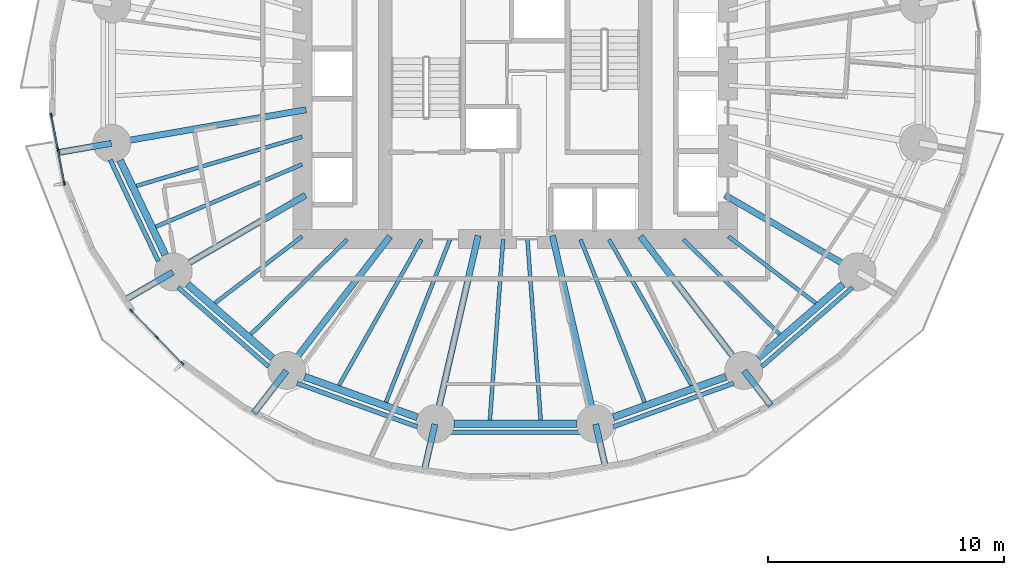
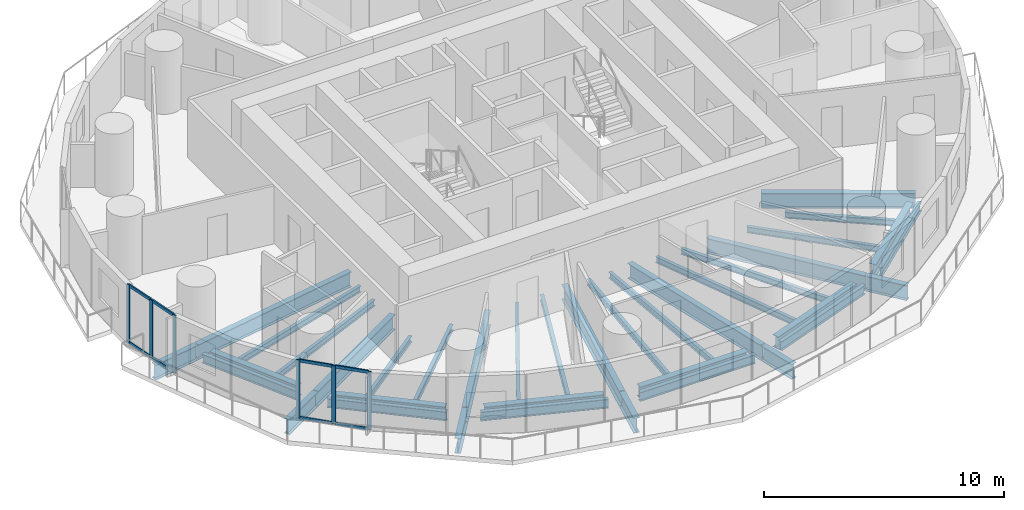
# One storey, part 2 of 14: 37 beams, 14 members, 2 elements without a shape of their own.
"""IFC4 building model written with IfcOpenShell, lengths in metres."""

import ifcopenshell
import ifcopenshell.guid

model = None  # the IFC model being written
_history = None  # IfcOwnerHistory: only IFC2X3 demands one
_inside = {}  # id of a spatial element -> (the spatial element, [elements in it])
_under = {}  # id of a project, library or spatial element -> (it, [spatial elements below it])
_declared = {}  # id of a project -> (the project, [libraries it declares])
_typed = {}  # id of a type object -> (the type object, [elements of that type])
_made_of = {}  # id of a material, layer set ... -> (it, [elements and type objects made of it])


def new_model(schema):
    """Start an empty IFC model of exactly this schema.

    Asked for "IFC4X3", IfcOpenShell would pick the latest addendum, in which some entities
    have other attributes; the version numbers below select the first issue.
    IFC2X3 requires an IfcOwnerHistory on every rooted entity: one is made here for all.
    """
    global model, _history
    if schema == "IFC4X3":
        model = ifcopenshell.file(schema_version=(4, 3, 0, 0))
    else:
        model = ifcopenshell.file(schema=schema)
    _inside.clear()
    _under.clear()
    _declared.clear()
    _typed.clear()
    _made_of.clear()
    _history = None
    if model.schema == "IFC2X3":
        org = make("IfcOrganization", Name="unknown")
        user = make(
            "IfcPersonAndOrganization",
            ThePerson=make("IfcPerson", FamilyName="unknown"),
            TheOrganization=org,
        )
        app = make(
            "IfcApplication",
            ApplicationDeveloper=org,
            Version="unknown",
            ApplicationFullName="unknown",
            ApplicationIdentifier="unknown",
        )
        _history = make(
            "IfcOwnerHistory",
            OwningUser=user,
            OwningApplication=app,
            ChangeAction="ADDED",
            CreationDate=0,
        )
    return model


def make(cls, **values):
    """One entity of the class cls with the attributes given. An attribute that is None is left unset."""
    return model.create_entity(
        cls, **{name: value for name, value in values.items() if value is not None}
    )


def rooted(cls, **values):
    """An entity with a GlobalId (a new one), such as an element, a storey or a relation."""
    return make(cls, GlobalId=ifcopenshell.guid.new(), OwnerHistory=_history, **values)


def si_unit(unit_type, name, prefix=None):
    """IfcSIUnit, for example si_unit("LENGTHUNIT", "METRE", prefix="MILLI")."""
    return make("IfcSIUnit", UnitType=unit_type, Prefix=prefix, Name=name)


def assignment(units):
    """IfcUnitAssignment: the units of a project."""
    return None if units is None else make("IfcUnitAssignment", Units=units)


def point(xyz):
    """IfcCartesianPoint."""
    return None if xyz is None else make("IfcCartesianPoint", Coordinates=xyz)


def direction(xyz):
    """IfcDirection."""
    return None if xyz is None else make("IfcDirection", DirectionRatios=xyz)


def frame(location, z_axis=None, x_axis=None):
    """IfcAxis2Placement3D, a coordinate frame: its origin and axes. An axis left out is left unset."""
    return make(
        "IfcAxis2Placement3D",
        Location=point(location),
        Axis=direction(z_axis),
        RefDirection=direction(x_axis),
    )


def frame_2d(location, x_axis=None):
    """IfcAxis2Placement2D, a coordinate frame in the plane: its origin and x axis."""
    return make(
        "IfcAxis2Placement2D", Location=point(location), RefDirection=direction(x_axis)
    )


def origin():
    """The frame at (0, 0, 0) with its axes left unset."""
    return frame((0.0, 0.0, 0.0))


def origin_2d():
    """The frame at (0, 0) in the plane with its x axis left unset."""
    return frame_2d((0.0, 0.0))


def place(relative_to, where):
    """IfcLocalPlacement: puts the frame where relative to a parent placement (None: the world)."""
    return make(
        "IfcLocalPlacement", PlacementRelTo=relative_to, RelativePlacement=where
    )


def context(
    kind, dimensions, precision=None, world=None, true_north=None, identifier=None
):
    """IfcGeometricRepresentationContext, for example the 3D "Model" context."""
    return make(
        "IfcGeometricRepresentationContext",
        ContextIdentifier=identifier,
        ContextType=kind,
        CoordinateSpaceDimension=dimensions,
        Precision=precision,
        WorldCoordinateSystem=world,
        TrueNorth=true_north,
    )


def subcontext(parent, identifier, kind, view, scale=None):
    """IfcGeometricRepresentationSubContext, for example "Body" below "Model"."""
    return make(
        "IfcGeometricRepresentationSubContext",
        ContextIdentifier=identifier,
        ContextType=kind,
        ParentContext=parent,
        TargetScale=scale,
        TargetView=view,
    )


def project(units=None, contexts=None):
    """IfcProject with its units and contexts."""
    return rooted(
        "IfcProject",
        Name="project",
        RepresentationContexts=contexts,
        UnitsInContext=assignment(units),
    )


def spatial(cls, under=None, at=None, **own):
    """A site, building, storey or space (cls), placed at a placement, below another one or the project."""
    s = rooted(cls, ObjectPlacement=at, **own)
    if under is not None:
        _under.setdefault(under.id(), (under, []))[1].append(s)
    return s


def profile(cls, at=None, kind="AREA", **sizes):
    """A parametric profile (cls). Its sizes go by their IFC names, for example OverallWidth=200.0."""
    return make(cls, ProfileType=kind, Position=at, **sizes)


def rectangle(**sizes):
    """IfcRectangleProfileDef."""
    return profile("IfcRectangleProfileDef", **sizes)


def i_section(**sizes):
    """IfcIShapeProfileDef."""
    return profile("IfcIShapeProfileDef", **sizes)


def extrude(swept, where, along, depth):
    """IfcExtrudedAreaSolid: the profile swept, set in the frame where, extruded along a direction by depth."""
    return make(
        "IfcExtrudedAreaSolid",
        SweptArea=swept,
        Position=where,
        ExtrudedDirection=direction(along),
        Depth=depth,
    )


def shape(context_of_items, identifier, shape_type, items):
    """IfcShapeRepresentation: the items that make up one representation, for example the "Body"."""
    return make(
        "IfcShapeRepresentation",
        ContextOfItems=context_of_items,
        RepresentationIdentifier=identifier,
        RepresentationType=shape_type,
        Items=items,
    )


def material(Name=None, Category=None):
    """IfcMaterial."""
    return make("IfcMaterial", Name=Name, Category=Category)


def material_profile(
    of_material, cross_section, Name=None, Category=None, Priority=None
):
    """IfcMaterialProfile: a cross section and its material."""
    return make(
        "IfcMaterialProfile",
        Name=Name,
        Material=of_material,
        Profile=cross_section,
        Priority=Priority,
        Category=Category,
    )


def profile_set(profiles, Name=None, composite=None):
    """IfcMaterialProfileSet."""
    return make(
        "IfcMaterialProfileSet",
        Name=Name,
        MaterialProfiles=profiles,
        CompositeProfile=composite,
    )


def made_of(thing, what):
    """Note that an element or type object is made of a material, layer set ...; save() writes the relation."""
    if what is not None:
        _made_of.setdefault(what.id(), (what, []))[1].append(thing)
    return thing


def type_object(cls, material=None, **own):
    """A type object (cls), such as IfcWallType, which elements share."""
    return made_of(rooted(cls, **own), material)


def element(
    cls,
    number,
    at=None,
    inside=None,
    cuts=None,
    type_object=None,
    material=None,
    context=None,
    identifier="Body",
    shape_type=None,
    held_by="IfcProductDefinitionShape",
    body=None,
    shapes=None,
    **own,
):
    """One element of the class cls, such as IfcWall. Its Tag is "e" and its number.

    at: its placement. inside: the storey or other place that contains it. cuts: it is an
    opening in that element (IfcRelVoidsElement). A single representation is given by context,
    identifier, shape_type and body (its items); several are given by shapes. held_by: the class
    of the entity that holds the representations. save() writes the other relations.
    """
    e = rooted(cls, Tag="e%d" % number, ObjectPlacement=at, **own)
    if body is not None:
        shapes = [shape(context, identifier, shape_type, body)]
    if shapes is not None:
        e.Representation = make(held_by, Representations=shapes)
    if inside is not None:
        _inside.setdefault(inside.id(), (inside, []))[1].append(e)
    if cuts is not None:
        rooted(
            "IfcRelVoidsElement", RelatingBuildingElement=cuts, RelatedOpeningElement=e
        )
    if type_object is not None:
        _typed.setdefault(type_object.id(), (type_object, []))[1].append(e)
    return made_of(e, material)


def aggregate(whole, parts):
    """IfcRelAggregates: a whole, such as a stair, and the parts it consists of."""
    return rooted("IfcRelAggregates", RelatingObject=whole, RelatedObjects=parts)


def save(model, path):
    """Write the relations noted so far, then the file.

    IfcRelAggregates (storeys below a building ...), IfcRelContainedInSpatialStructure (elements
    in a storey), IfcRelDefinesByType, IfcRelAssociatesMaterial and IfcRelDeclares: one each for
    every whole, place, type object, material and project.
    """
    for whole, parts in _under.values():
        aggregate(whole, parts)
    for where, things in _inside.values():
        rooted(
            "IfcRelContainedInSpatialStructure",
            RelatedElements=things,
            RelatingStructure=where,
        )
    for kind, things in _typed.values():
        rooted("IfcRelDefinesByType", RelatedObjects=things, RelatingType=kind)
    for what, things in _made_of.values():
        rooted("IfcRelAssociatesMaterial", RelatedObjects=things, RelatingMaterial=what)
    for by, libraries in _declared.values():
        rooted("IfcRelDeclares", RelatingContext=by, RelatedDefinitions=libraries)
    model.write(path)


model = new_model("IFC4")

# Units and contexts
model_context = context("Model", 3, precision=1e-05, world=origin(), true_north=direction((0.0, 1.0)))
body_context = subcontext(model_context, "Body", "Model", "MODEL_VIEW")
ifc_project = project(units=[si_unit("LENGTHUNIT", "METRE"), si_unit("AREAUNIT", "SQUARE_METRE"), si_unit("VOLUMEUNIT", "CUBIC_METRE"), si_unit("PLANEANGLEUNIT", "RADIAN"), si_unit("MASSUNIT", "GRAM", prefix="KILO")], contexts=[model_context])

# Site, building, storey
site_placement = place(None, origin())
site = spatial("IfcSite", under=ifc_project, at=site_placement, CompositionType="ELEMENT")
building_placement = place(site_placement, origin())
building = spatial("IfcBuilding", under=site, at=building_placement, Name="Veldorim Arch Residences", CompositionType="ELEMENT")
storey_placement = place(building_placement, frame((0.0, 0.0, 28.0)))
storey = spatial("IfcBuildingStorey", under=building, at=storey_placement, Name="L07", CompositionType="ELEMENT", Elevation=28.0)

# Beams
ifc_material_1 = material(Name="Steel S355", Category="steel")
ifc_material_profile_1 = material_profile(ifc_material_1, i_section(OverallWidth=0.30712890625, OverallDepth=0.6201171875, WebThickness=0.01416015625, FlangeThickness=0.023681640625, at=origin_2d()), Name="UB610x305x179")
ifc_profile_set_1 = profile_set([ifc_material_profile_1], Name="Steel S355")
beam_type_1 = type_object("IfcBeamType", Name="Structural Steel Beam UB610x305x179", PredefinedType="BEAM", material=ifc_profile_set_1)
beam_1_placement = place(storey_placement, frame((15.27880859375, 20.33203125, -0.550048828125), z_axis=(0.430786696724, -0.902453778276, 0.0), x_axis=(0.902453778276, 0.430786696724, 0.0)))
element("IfcBeam", 1, at=beam_1_placement, inside=storey, type_object=beam_type_1, Name="L07 perimeter ring tie beam 09", PredefinedType="BEAM", context=body_context, shape_type="SweptSolid", body=[
    extrude(i_section(OverallWidth=0.30712890625, OverallDepth=0.6201171875, WebThickness=0.01416015625, FlangeThickness=0.023681640625, at=origin_2d()), origin(), (0.0, 0.0, 1.0), 4.431396484375),
])
beam_2_placement = place(storey_placement, frame((18.13671875, 15.086669921875, -0.550048828125), z_axis=(0.755235029424, -0.655454079499, 0.0), x_axis=(0.655454079499, 0.755235029424, 0.0)))
element("IfcBeam", 2, at=beam_2_placement, inside=storey, type_object=beam_type_1, Name="L07 perimeter ring tie beam 10", PredefinedType="BEAM", context=body_context, shape_type="SweptSolid", body=[
    extrude(i_section(OverallWidth=0.30712890625, OverallDepth=0.6201171875, WebThickness=0.01416015625, FlangeThickness=0.023681640625, at=origin_2d()), origin(), (0.0, 0.0, 1.0), 4.756591796875),
])
beam_3_placement = place(storey_placement, frame((23.0859375, 11.17431640625, -0.550048828125), z_axis=(0.94103540046, -0.338308106732, 0.0), x_axis=(0.338308106732, 0.94103540046, 0.0)))
element("IfcBeam", 3, at=beam_3_placement, inside=storey, type_object=beam_type_1, Name="L07 perimeter ring tie beam 11", PredefinedType="BEAM", context=body_context, shape_type="SweptSolid", body=[
    extrude(i_section(OverallWidth=0.30712890625, OverallDepth=0.6201171875, WebThickness=0.01416015625, FlangeThickness=0.023681640625, at=origin_2d()), origin(), (0.0, 0.0, 1.0), 5.065185546875),
])
beam_4_placement = place(storey_placement, frame((29.405517578125, 9.190185546875, -0.550048828125), z_axis=(1.0, 0.0, 0.0), x_axis=(0.0, 1.0, 0.0)))
element("IfcBeam", 4, at=beam_4_placement, inside=storey, type_object=beam_type_1, Name="L07 perimeter ring tie beam 12", PredefinedType="BEAM", context=body_context, shape_type="SweptSolid", body=[
    extrude(i_section(OverallWidth=0.30712890625, OverallDepth=0.6201171875, WebThickness=0.01416015625, FlangeThickness=0.023681640625, at=origin_2d()), origin(), (0.0, 0.0, 1.0), 5.18896484375),
])
beam_5_placement = place(storey_placement, frame((36.1474609375, 9.460693359375, -0.550048828125), z_axis=(0.94103540046, 0.338308106732, 0.0), x_axis=(-0.338308106732, 0.94103540046, 0.0)))
element("IfcBeam", 5, at=beam_5_placement, inside=storey, type_object=beam_type_1, Name="L07 perimeter ring tie beam 13", PredefinedType="BEAM", context=body_context, shape_type="SweptSolid", body=[
    extrude(i_section(OverallWidth=0.30712890625, OverallDepth=0.6201171875, WebThickness=0.01416015625, FlangeThickness=0.023681640625, at=origin_2d()), origin(), (0.0, 0.0, 1.0), 5.065185546875),
])
beam_6_placement = place(storey_placement, frame((42.27099609375, 11.968994140625, -0.550048828125), z_axis=(0.755235029424, 0.655454079499, 0.0), x_axis=(-0.655454079499, 0.755235029424, 0.0)))
element("IfcBeam", 6, at=beam_6_placement, inside=storey, type_object=beam_type_1, Name="L07 perimeter ring tie beam 14", PredefinedType="BEAM", context=body_context, shape_type="SweptSolid", body=[
    extrude(i_section(OverallWidth=0.30712890625, OverallDepth=0.6201171875, WebThickness=0.01416015625, FlangeThickness=0.023681640625, at=origin_2d()), origin(), (0.0, 0.0, 1.0), 4.756591796875),
])
ifc_material_2 = material(Name="Steel S355", Category="steel")
ifc_material_profile_2 = material_profile(ifc_material_2, i_section(OverallWidth=0.26806640625, OverallDepth=0.769775390625, WebThickness=0.015625, FlangeThickness=0.025390625, at=origin_2d()), Name="UB762x267x197")
ifc_profile_set_2 = profile_set([ifc_material_profile_2], Name="Steel S355")
beam_type_2 = type_object("IfcBeamType", Name="Structural Steel GIRDER UB762x267x197", PredefinedType="USERDEFINED", material=ifc_profile_set_2)
beam_7_placement = place(storey_placement, frame((23.147705078125, 22.471923828125, -0.625), z_axis=(-0.985427548249, -0.170095699979, 0.0), x_axis=(0.170095699979, -0.985427548249, 0.0)))
element("IfcBeam", 7, at=beam_7_placement, inside=storey, type_object=beam_type_2, Name="L07 radial floor girder 09", ObjectType="GIRDER", PredefinedType="USERDEFINED", context=body_context, shape_type="SweptSolid", body=[
    extrude(i_section(OverallWidth=0.26806640625, OverallDepth=0.769775390625, WebThickness=0.015625, FlangeThickness=0.025390625, at=origin_2d()), origin(), (0.0, 0.0, 1.0), 8.314697265625),
])
beam_8_placement = place(storey_placement, frame((14.91455078125, 21.05078125, -0.625), z_axis=(-0.985412784753, -0.17018120826, 0.0), x_axis=(0.17018120826, -0.985412784753, 0.0)))
element("IfcBeam", 8, at=beam_8_placement, inside=storey, type_object=beam_type_2, Name="L07 radial edge cantilever girder 09", ObjectType="GIRDER", PredefinedType="USERDEFINED", context=body_context, shape_type="SweptSolid", body=[
    extrude(i_section(OverallWidth=0.26806640625, OverallDepth=0.769775390625, WebThickness=0.015625, FlangeThickness=0.025390625, at=origin_2d()), origin(), (0.0, 0.0, 1.0), 2.26513671875),
])
beam_9_placement = place(storey_placement, frame((23.1298828125, 18.8564453125, -0.625), z_axis=(-0.865088348752, -0.501619525989, 0.0), x_axis=(0.501619525989, -0.865088348752, 0.0)))
element("IfcBeam", 9, at=beam_9_placement, inside=storey, type_object=beam_type_2, Name="L07 radial floor girder 10", ObjectType="GIRDER", PredefinedType="USERDEFINED", context=body_context, shape_type="SweptSolid", body=[
    extrude(i_section(OverallWidth=0.26806640625, OverallDepth=0.769775390625, WebThickness=0.015625, FlangeThickness=0.025390625, at=origin_2d()), origin(), (0.0, 0.0, 1.0), 6.4501953125),
])
beam_10_placement = place(storey_placement, frame((17.51513671875, 15.600830078125, -0.625), z_axis=(-0.865088627534, -0.501619045203, 0.0), x_axis=(0.501619045203, -0.865088627534, 0.0)))
element("IfcBeam", 10, at=beam_10_placement, inside=storey, type_object=beam_type_2, Name="L07 radial edge cantilever girder 10", ObjectType="GIRDER", PredefinedType="USERDEFINED", context=body_context, shape_type="SweptSolid", body=[
    extrude(i_section(OverallWidth=0.26806640625, OverallDepth=0.769775390625, WebThickness=0.015625, FlangeThickness=0.025390625, at=origin_2d()), origin(), (0.0, 0.0, 1.0), 2.361083984375),
])
beam_11_placement = place(storey_placement, frame((26.701904296875, 17.118896484375, -0.625), z_axis=(-0.610082439157, -0.792337943956, 0.0), x_axis=(0.792337943956, -0.610082439157, 0.0)))
element("IfcBeam", 11, at=beam_11_placement, inside=storey, type_object=beam_type_2, Name="L07 radial floor girder 11", ObjectType="GIRDER", PredefinedType="USERDEFINED", context=body_context, shape_type="SweptSolid", body=[
    extrude(i_section(OverallWidth=0.26806640625, OverallDepth=0.769775390625, WebThickness=0.015625, FlangeThickness=0.025390625, at=origin_2d()), origin(), (0.0, 0.0, 1.0), 7.14111328125),
])
beam_12_placement = place(storey_placement, frame((22.32080078125, 11.428955078125, -0.625), z_axis=(-0.610044777152, -0.792366941429, 0.0), x_axis=(0.792366941429, -0.610044777152, 0.0)))
element("IfcBeam", 12, at=beam_12_placement, inside=storey, type_object=beam_type_2, Name="L07 radial edge cantilever girder 11", ObjectType="GIRDER", PredefinedType="USERDEFINED", context=body_context, shape_type="SweptSolid", body=[
    extrude(i_section(OverallWidth=0.26806640625, OverallDepth=0.769775390625, WebThickness=0.015625, FlangeThickness=0.025390625, at=origin_2d()), origin(), (0.0, 0.0, 1.0), 2.26025390625),
])
beam_13_placement = place(storey_placement, frame((30.428955078125, 17.146240234375, -0.625), z_axis=(-0.223411766201, -0.974724157248, 0.0), x_axis=(0.974724157248, -0.223411766201, 0.0)))
element("IfcBeam", 13, at=beam_13_placement, inside=storey, type_object=beam_type_2, Name="L07 radial floor girder 12", ObjectType="GIRDER", PredefinedType="USERDEFINED", context=body_context, shape_type="SweptSolid", body=[
    extrude(i_section(OverallWidth=0.26806640625, OverallDepth=0.769775390625, WebThickness=0.015625, FlangeThickness=0.025390625, at=origin_2d()), origin(), (0.0, 0.0, 1.0), 8.142333984375),
])
beam_14_placement = place(storey_placement, frame((28.600830078125, 9.170654296875, -0.625), z_axis=(-0.223397633351, -0.974727396462, 0.0), x_axis=(0.974727396462, -0.223397633351, 0.0)))
element("IfcBeam", 14, at=beam_14_placement, inside=storey, type_object=beam_type_2, Name="L07 radial edge cantilever girder 12", ObjectType="GIRDER", PredefinedType="USERDEFINED", context=body_context, shape_type="SweptSolid", body=[
    extrude(i_section(OverallWidth=0.26806640625, OverallDepth=0.769775390625, WebThickness=0.015625, FlangeThickness=0.025390625, at=origin_2d()), origin(), (0.0, 0.0, 1.0), 2.025146484375),
])
beam_15_placement = place(storey_placement, frame((33.571044921875, 17.146240234375, -0.625), z_axis=(0.223411766201, -0.974724157248, 0.0), x_axis=(0.974724157248, 0.223411766201, 0.0)))
element("IfcBeam", 15, at=beam_15_placement, inside=storey, type_object=beam_type_2, Name="L07 radial floor girder 13", ObjectType="GIRDER", PredefinedType="USERDEFINED", context=body_context, shape_type="SweptSolid", body=[
    extrude(i_section(OverallWidth=0.26806640625, OverallDepth=0.769775390625, WebThickness=0.015625, FlangeThickness=0.025390625, at=origin_2d()), origin(), (0.0, 0.0, 1.0), 8.142333984375),
])
beam_16_placement = place(storey_placement, frame((35.399169921875, 9.170654296875, -0.625), z_axis=(0.22337098514, -0.974733503578, 0.0), x_axis=(0.974733503578, 0.22337098514, 0.0)))
element("IfcBeam", 16, at=beam_16_placement, inside=storey, type_object=beam_type_2, Name="L07 radial edge cantilever girder 13", ObjectType="GIRDER", PredefinedType="USERDEFINED", context=body_context, shape_type="SweptSolid", body=[
    extrude(i_section(OverallWidth=0.26806640625, OverallDepth=0.769775390625, WebThickness=0.015625, FlangeThickness=0.025390625, at=origin_2d()), origin(), (0.0, 0.0, 1.0), 1.868896484375),
])
beam_17_placement = place(storey_placement, frame((37.298095703125, 17.118896484375, -0.625), z_axis=(0.610082439157, -0.792337943956, 0.0), x_axis=(0.792337943956, 0.610082439157, 0.0)))
element("IfcBeam", 17, at=beam_17_placement, inside=storey, type_object=beam_type_2, Name="L07 radial floor girder 14", ObjectType="GIRDER", PredefinedType="USERDEFINED", context=body_context, shape_type="SweptSolid", body=[
    extrude(i_section(OverallWidth=0.26806640625, OverallDepth=0.769775390625, WebThickness=0.015625, FlangeThickness=0.025390625, at=origin_2d()), origin(), (0.0, 0.0, 1.0), 7.14111328125),
])
beam_18_placement = place(storey_placement, frame((41.67919921875, 11.428955078125, -0.625), z_axis=(0.610034959005, -0.792374500342, 0.0), x_axis=(0.792374500342, 0.610034959005, 0.0)))
element("IfcBeam", 18, at=beam_18_placement, inside=storey, type_object=beam_type_2, Name="L07 radial edge cantilever girder 14", ObjectType="GIRDER", PredefinedType="USERDEFINED", context=body_context, shape_type="SweptSolid", body=[
    extrude(i_section(OverallWidth=0.26806640625, OverallDepth=0.769775390625, WebThickness=0.015625, FlangeThickness=0.025390625, at=origin_2d()), origin(), (0.0, 0.0, 1.0), 1.855712890625),
])
beam_19_placement = place(storey_placement, frame((40.8701171875, 18.8564453125, -0.625), z_axis=(0.865088348752, -0.501619525989, 0.0), x_axis=(0.501619525989, 0.865088348752, 0.0)))
element("IfcBeam", 19, at=beam_19_placement, inside=storey, type_object=beam_type_2, Name="L07 radial floor girder 15", ObjectType="GIRDER", PredefinedType="USERDEFINED", context=body_context, shape_type="SweptSolid", body=[
    extrude(i_section(OverallWidth=0.26806640625, OverallDepth=0.769775390625, WebThickness=0.015625, FlangeThickness=0.025390625, at=origin_2d()), origin(), (0.0, 0.0, 1.0), 6.4501953125),
])
ifc_material_3 = material(Name="Steel S355", Category="steel")
ifc_material_profile_3 = material_profile(ifc_material_3, i_section(OverallWidth=0.165771484375, OverallDepth=0.306640625, WebThickness=0.006591796875, FlangeThickness=0.01171875, at=origin_2d()), Name="UB305x165x46")
ifc_profile_set_3 = profile_set([ifc_material_profile_3], Name="Steel S355")
beam_type_3 = type_object("IfcBeamType", Name="Structural Steel Joist UB305x165x46", PredefinedType="JOIST", material=ifc_profile_set_3)
beam_20_placement = place(storey_placement, frame((22.980712890625, 21.32666015625, -0.393310546875), z_axis=(-0.958766778771, -0.284194060325, 0.0), x_axis=(0.284194060325, -0.958766778771, 0.0)))
element("IfcBeam", 20, at=beam_20_placement, inside=storey, type_object=beam_type_3, Name="L07 secondary radial floor joist 09-1", PredefinedType="JOIST", context=body_context, shape_type="SweptSolid", body=[
    extrude(i_section(OverallWidth=0.165771484375, OverallDepth=0.306640625, WebThickness=0.006591796875, FlangeThickness=0.01171875, at=origin_2d()), origin(), (0.0, 0.0, 1.0), 7.3115234375),
])
beam_21_placement = place(storey_placement, frame((22.981689453125, 20.15869140625, -0.393310546875), z_axis=(-0.920032948668, -0.391841005213, 0.0), x_axis=(0.391841005213, -0.920032948668, 0.0)))
element("IfcBeam", 21, at=beam_21_placement, inside=storey, type_object=beam_type_3, Name="L07 secondary radial floor joist 09-2", PredefinedType="JOIST", context=body_context, shape_type="SweptSolid", body=[
    extrude(i_section(OverallWidth=0.165771484375, OverallDepth=0.306640625, WebThickness=0.006591796875, FlangeThickness=0.01171875, at=origin_2d()), origin(), (0.0, 0.0, 1.0), 6.723388671875),
])
beam_22_placement = place(storey_placement, frame((22.984130859375, 17.1123046875, -0.393310546875), z_axis=(-0.794666431166, -0.607046343517, 0.0), x_axis=(0.607046343517, -0.794666431166, 0.0)))
element("IfcBeam", 22, at=beam_22_placement, inside=storey, type_object=beam_type_3, Name="L07 secondary radial floor joist 10-1", PredefinedType="JOIST", context=body_context, shape_type="SweptSolid", body=[
    extrude(i_section(OverallWidth=0.165771484375, OverallDepth=0.306640625, WebThickness=0.006591796875, FlangeThickness=0.01171875, at=origin_2d()), origin(), (0.0, 0.0, 1.0), 4.646728515625),
])
beam_23_placement = place(storey_placement, frame((24.885009765625, 16.986083984375, -0.393310546875), z_axis=(-0.712129078446, -0.702048556463, 0.0), x_axis=(0.702048556463, -0.712129078446, 0.0)))
element("IfcBeam", 23, at=beam_23_placement, inside=storey, type_object=beam_type_3, Name="L07 secondary radial floor joist 10-2", PredefinedType="JOIST", context=body_context, shape_type="SweptSolid", body=[
    extrude(i_section(OverallWidth=0.165771484375, OverallDepth=0.306640625, WebThickness=0.006591796875, FlangeThickness=0.01171875, at=origin_2d()), origin(), (0.0, 0.0, 1.0), 5.715576171875),
])
beam_24_placement = place(storey_placement, frame((28.03125, 16.982666015625, -0.393310546875), z_axis=(-0.492292335352, -0.870429926274, 0.0), x_axis=(0.870429926274, -0.492292335352, 0.0)))
element("IfcBeam", 24, at=beam_24_placement, inside=storey, type_object=beam_type_3, Name="L07 secondary radial floor joist 11-1", PredefinedType="JOIST", context=body_context, shape_type="SweptSolid", body=[
    extrude(i_section(OverallWidth=0.165771484375, OverallDepth=0.306640625, WebThickness=0.006591796875, FlangeThickness=0.01171875, at=origin_2d()), origin(), (0.0, 0.0, 1.0), 7.083251953125),
])
beam_25_placement = place(storey_placement, frame((29.237548828125, 16.9814453125, -0.393310546875), z_axis=(-0.366229833858, -0.930524426758, 0.0), x_axis=(0.930524426758, -0.366229833858, 0.0)))
element("IfcBeam", 25, at=beam_25_placement, inside=storey, type_object=beam_type_3, Name="L07 secondary radial floor joist 11-2", PredefinedType="JOIST", context=body_context, shape_type="SweptSolid", body=[
    extrude(i_section(OverallWidth=0.165771484375, OverallDepth=0.306640625, WebThickness=0.006591796875, FlangeThickness=0.01171875, at=origin_2d()), origin(), (0.0, 0.0, 1.0), 7.3896484375),
])
for number, where, z_axis, x_axis, name in (
    (26, (31.485107421875, 16.97998046875, -0.393310546875), (-0.073167620373, -0.997319657547, 0.0), (0.997319657547, -0.073167620373, 0.0), "L07 secondary radial floor joist 12-1"),
    (27, (32.514892578125, 16.97998046875, -0.393310546875), (0.073167620373, -0.997319657547, 0.0), (0.997319657547, 0.073167620373, 0.0), "L07 secondary radial floor joist 12-2"),
):
    element("IfcBeam", number, at=place(storey_placement, frame(where, z_axis=z_axis, x_axis=x_axis)), inside=storey, type_object=beam_type_3, Name=name, PredefinedType="JOIST", context=body_context, shape_type="SweptSolid", body=[
        extrude(i_section(OverallWidth=0.165771484375, OverallDepth=0.306640625, WebThickness=0.006591796875, FlangeThickness=0.01171875, at=origin_2d()), origin(), (0.0, 0.0, 1.0), 7.651123046875),
    ])
beam_26_placement = place(storey_placement, frame((34.762451171875, 16.9814453125, -0.393310546875), z_axis=(0.366229833858, -0.930524426758, 0.0), x_axis=(0.930524426758, 0.366229833858, 0.0)))
element("IfcBeam", 28, at=beam_26_placement, inside=storey, type_object=beam_type_3, Name="L07 secondary radial floor joist 13-1", PredefinedType="JOIST", context=body_context, shape_type="SweptSolid", body=[
    extrude(i_section(OverallWidth=0.165771484375, OverallDepth=0.306640625, WebThickness=0.006591796875, FlangeThickness=0.01171875, at=origin_2d()), origin(), (0.0, 0.0, 1.0), 7.3896484375),
])
beam_27_placement = place(storey_placement, frame((35.96875, 16.982666015625, -0.393310546875), z_axis=(0.492292335352, -0.870429926274, 0.0), x_axis=(0.870429926274, 0.492292335352, 0.0)))
element("IfcBeam", 29, at=beam_27_placement, inside=storey, type_object=beam_type_3, Name="L07 secondary radial floor joist 13-2", PredefinedType="JOIST", context=body_context, shape_type="SweptSolid", body=[
    extrude(i_section(OverallWidth=0.165771484375, OverallDepth=0.306640625, WebThickness=0.006591796875, FlangeThickness=0.01171875, at=origin_2d()), origin(), (0.0, 0.0, 1.0), 7.083251953125),
])
beam_28_placement = place(storey_placement, frame((39.114990234375, 16.986083984375, -0.393310546875), z_axis=(0.712129078446, -0.702048556463, 0.0), x_axis=(0.702048556463, 0.712129078446, 0.0)))
element("IfcBeam", 30, at=beam_28_placement, inside=storey, type_object=beam_type_3, Name="L07 secondary radial floor joist 14-1", PredefinedType="JOIST", context=body_context, shape_type="SweptSolid", body=[
    extrude(i_section(OverallWidth=0.165771484375, OverallDepth=0.306640625, WebThickness=0.006591796875, FlangeThickness=0.01171875, at=origin_2d()), origin(), (0.0, 0.0, 1.0), 5.715576171875),
])
beam_29_placement = place(storey_placement, frame((41.015869140625, 17.1123046875, -0.393310546875), z_axis=(0.794666431166, -0.607046343517, 0.0), x_axis=(0.607046343517, 0.794666431166, 0.0)))
element("IfcBeam", 31, at=beam_29_placement, inside=storey, type_object=beam_type_3, Name="L07 secondary radial floor joist 14-2", PredefinedType="JOIST", context=body_context, shape_type="SweptSolid", body=[
    extrude(i_section(OverallWidth=0.165771484375, OverallDepth=0.306640625, WebThickness=0.006591796875, FlangeThickness=0.01171875, at=origin_2d()), origin(), (0.0, 0.0, 1.0), 4.646728515625),
])
ifc_material_4 = material(Name="Steel S355", Category="steel")
ifc_material_profile_4 = material_profile(ifc_material_4, i_section(OverallWidth=0.19140625, OverallDepth=0.4599609375, WebThickness=0.010009765625, FlangeThickness=0.01611328125, at=origin_2d()), Name="UB457x191x82")
ifc_profile_set_4 = profile_set([ifc_material_profile_4], Name="Steel S355")
beam_type_4 = type_object("IfcBeamType", Name="Structural Steel Spandrel UB457x191x82", PredefinedType="SPANDREL", material=ifc_profile_set_4)
beam_30_placement = place(storey_placement, frame((14.86181640625, 20.353515625, -0.489990234375), z_axis=(0.42886940858, -0.903366498374, 0.0), x_axis=(0.903366498374, 0.42886940858, 0.0)))
element("IfcBeam", 32, at=beam_30_placement, inside=storey, type_object=beam_type_4, Name="L07 perimeter chord spandrel beam 09", PredefinedType="SPANDREL", context=body_context, shape_type="SweptSolid", body=[
    extrude(i_section(OverallWidth=0.19140625, OverallDepth=0.4599609375, WebThickness=0.010009765625, FlangeThickness=0.01611328125, at=origin_2d()), origin(), (0.0, 0.0, 1.0), 4.7568359375),
])
beam_31_placement = place(storey_placement, frame((17.73388671875, 14.957275390625, -0.489990234375), z_axis=(0.753250231024, -0.65773405679, 0.0), x_axis=(0.65773405679, 0.753250231024, 0.0)))
element("IfcBeam", 33, at=beam_31_placement, inside=storey, type_object=beam_type_4, Name="L07 perimeter chord spandrel beam 10", PredefinedType="SPANDREL", context=body_context, shape_type="SweptSolid", body=[
    extrude(i_section(OverallWidth=0.19140625, OverallDepth=0.4599609375, WebThickness=0.010009765625, FlangeThickness=0.01611328125, at=origin_2d()), origin(), (0.0, 0.0, 1.0), 5.09423828125),
])
beam_32_placement = place(storey_placement, frame((22.76318359375, 10.904052734375, -0.489990234375), z_axis=(0.940271320222, -0.340425974873, 0.0), x_axis=(0.340425974873, 0.940271320222, 0.0)))
element("IfcBeam", 34, at=beam_32_placement, inside=storey, type_object=beam_type_4, Name="L07 perimeter chord spandrel beam 11", PredefinedType="SPANDREL", context=body_context, shape_type="SweptSolid", body=[
    extrude(i_section(OverallWidth=0.19140625, OverallDepth=0.4599609375, WebThickness=0.010009765625, FlangeThickness=0.01611328125, at=origin_2d()), origin(), (0.0, 0.0, 1.0), 5.4189453125),
])
beam_33_placement = place(storey_placement, frame((29.224609375, 8.819580078125, -0.489990234375), z_axis=(1.0, 0.0, 0.0), x_axis=(0.0, 1.0, 0.0)))
element("IfcBeam", 35, at=beam_33_placement, inside=storey, type_object=beam_type_4, Name="L07 perimeter chord spandrel beam 12", PredefinedType="SPANDREL", context=body_context, shape_type="SweptSolid", body=[
    extrude(i_section(OverallWidth=0.19140625, OverallDepth=0.4599609375, WebThickness=0.010009765625, FlangeThickness=0.01611328125, at=origin_2d()), origin(), (0.0, 0.0, 1.0), 5.55078125),
])
beam_34_placement = place(storey_placement, frame((36.1416015625, 9.059326171875, -0.489990234375), z_axis=(0.940271320222, 0.340425974873, 0.0), x_axis=(-0.340425974873, 0.940271320222, 0.0)))
element("IfcBeam", 36, at=beam_34_placement, inside=storey, type_object=beam_type_4, Name="L07 perimeter chord spandrel beam 13", PredefinedType="SPANDREL", context=body_context, shape_type="SweptSolid", body=[
    extrude(i_section(OverallWidth=0.19140625, OverallDepth=0.4599609375, WebThickness=0.010009765625, FlangeThickness=0.01611328125, at=origin_2d()), origin(), (0.0, 0.0, 1.0), 5.4189453125),
])
beam_35_placement = place(storey_placement, frame((42.428955078125, 11.606689453125, -0.489990234375), z_axis=(0.753250231024, 0.65773405679, 0.0), x_axis=(-0.65773405679, 0.753250231024, 0.0)))
element("IfcBeam", 37, at=beam_35_placement, inside=storey, type_object=beam_type_4, Name="L07 perimeter chord spandrel beam 14", PredefinedType="SPANDREL", context=body_context, shape_type="SweptSolid", body=[
    extrude(i_section(OverallWidth=0.19140625, OverallDepth=0.4599609375, WebThickness=0.010009765625, FlangeThickness=0.01611328125, at=origin_2d()), origin(), (0.0, 0.0, 1.0), 5.09423828125),
])

# Curtain wall, members
ifc_material_5 = material(Name="Aluminium", Category="aluminium")
curtain_wall_type = type_object("IfcCurtainWallType", Name="Zone 1 Acoustic Low-E Unitised Curtain Wall", PredefinedType="NOTDEFINED", material=ifc_material_5)
curtain_wall_1_placement = place(storey_placement, origin())
curtain_wall_1 = element("IfcCurtainWall", 38, at=curtain_wall_1_placement, inside=storey, type_object=curtain_wall_type, Name="L07 unitised curtain wall bay 19", PredefinedType="NOTDEFINED")
ifc_material_6 = material(Name="Aluminium", Category="aluminium")
ifc_material_profile_5 = material_profile(ifc_material_6, rectangle(XDim=0.06494140625, YDim=0.175048828125, at=origin_2d()), Name="ALU_MUL_65x175")
ifc_profile_set_5 = profile_set([ifc_material_profile_5], Name="Aluminium")
member_type_1 = type_object("IfcMemberType", Name="Zone 1 Acoustic Low-E Unitised Curtain Wall Mullion 65x175", PredefinedType="MULLION", material=ifc_profile_set_5)
member_1_placement = place(storey_placement, frame((12.9208984375, 19.360595703125, 0.0), z_axis=(0.0, 0.0, 1.0), x_axis=(-0.982317566124, -0.187222325819, 0.0)))
member_1 = element("IfcMember", 39, at=member_1_placement, type_object=member_type_1, Name="CW-Z1 mullion 1", PredefinedType="MULLION", context=body_context, shape_type="SweptSolid", body=[
    extrude(rectangle(XDim=0.06494140625, YDim=0.175048828125, at=origin_2d()), origin(), (0.0, 0.0, 1.0), 2.9599609375),
])
member_2_placement = place(storey_placement, frame((12.64599609375, 20.802978515625, 0.0), z_axis=(0.0, 0.0, 1.0), x_axis=(-0.982317566124, -0.187222325819, 0.0)))
member_2 = element("IfcMember", 40, at=member_2_placement, type_object=member_type_1, Name="CW-Z1 mullion 2", PredefinedType="MULLION", context=body_context, shape_type="SweptSolid", body=[
    extrude(rectangle(XDim=0.06494140625, YDim=0.175048828125, at=origin_2d()), origin(), (0.0, 0.0, 1.0), 2.9599609375),
])
member_3_placement = place(storey_placement, frame((12.37109375, 22.245361328125, 0.0), z_axis=(0.0, 0.0, 1.0), x_axis=(-0.982317566124, -0.187222325819, 0.0)))
member_3 = element("IfcMember", 41, at=member_3_placement, type_object=member_type_1, Name="CW-Z1 mullion 3", PredefinedType="MULLION", context=body_context, shape_type="SweptSolid", body=[
    extrude(rectangle(XDim=0.06494140625, YDim=0.175048828125, at=origin_2d()), origin(), (0.0, 0.0, 1.0), 2.9599609375),
])

curtain_wall_2_placement = place(storey_placement, origin())
curtain_wall_2 = element("IfcCurtainWall", 42, at=curtain_wall_2_placement, inside=storey, type_object=curtain_wall_type, Name="L07 unitised curtain wall bay 22", PredefinedType="NOTDEFINED")
member_4_placement = place(storey_placement, frame((17.904541015625, 11.740234375, 0.0), z_axis=(0.0, 0.0, 1.0), x_axis=(-0.720420523139, -0.693537504278, 0.0)))
member_4 = element("IfcMember", 43, at=member_4_placement, type_object=member_type_1, Name="CW-Z1 mullion 1", PredefinedType="MULLION", context=body_context, shape_type="SweptSolid", body=[
    extrude(rectangle(XDim=0.06494140625, YDim=0.175048828125, at=origin_2d()), origin(), (0.0, 0.0, 1.0), 2.9599609375),
])
member_5_placement = place(storey_placement, frame((16.833251953125, 12.85302734375, 0.0), z_axis=(0.0, 0.0, 1.0), x_axis=(-0.720420523139, -0.693537504278, 0.0)))
member_5 = element("IfcMember", 44, at=member_5_placement, type_object=member_type_1, Name="CW-Z1 mullion 2", PredefinedType="MULLION", context=body_context, shape_type="SweptSolid", body=[
    extrude(rectangle(XDim=0.06494140625, YDim=0.175048828125, at=origin_2d()), origin(), (0.0, 0.0, 1.0), 2.9599609375),
])
member_6_placement = place(storey_placement, frame((15.76171875, 13.9658203125, 0.0), z_axis=(0.0, 0.0, 1.0), x_axis=(-0.720420523139, -0.693537504278, 0.0)))
member_6 = element("IfcMember", 45, at=member_6_placement, type_object=member_type_1, Name="CW-Z1 mullion 3", PredefinedType="MULLION", context=body_context, shape_type="SweptSolid", body=[
    extrude(rectangle(XDim=0.06494140625, YDim=0.175048828125, at=origin_2d()), origin(), (0.0, 0.0, 1.0), 2.9599609375),
])

# Member
ifc_material_7 = material(Name="Aluminium", Category="aluminium")
ifc_material_profile_6 = material_profile(ifc_material_7, rectangle(XDim=0.06494140625, YDim=0.14990234375, at=origin_2d()), Name="ALU_TRN_65x150")
ifc_profile_set_6 = profile_set([ifc_material_profile_6], Name="Aluminium")
member_type_2 = type_object("IfcMemberType", Name="Zone 1 Acoustic Low-E Unitised Curtain Wall Transom 65x150", PredefinedType="USERDEFINED", material=ifc_profile_set_6)
member_7_placement = place(storey_placement, frame((12.914794921875, 19.392578125, 0.032470703125), z_axis=(-0.187176056103, 0.982326383654, 0.0), x_axis=(-0.982326383654, -0.187176056103, 0.0)))
member_7 = element("IfcMember", 46, at=member_7_placement, type_object=member_type_2, Name="CW-Z1 transom 1.1", ObjectType="TRANSOM", PredefinedType="USERDEFINED", context=body_context, shape_type="SweptSolid", body=[
    extrude(rectangle(XDim=0.06494140625, YDim=0.14990234375, at=origin_2d()), origin(), (0.0, 0.0, 1.0), 1.403564453125),
])

member_8_placement = place(storey_placement, frame((12.914794921875, 19.392578125, 2.927490234375), z_axis=(-0.187176056103, 0.982326383654, 0.0), x_axis=(-0.982326383654, -0.187176056103, 0.0)))
member_8 = element("IfcMember", 47, at=member_8_placement, type_object=member_type_2, Name="CW-Z1 transom 1.2", ObjectType="TRANSOM", PredefinedType="USERDEFINED", context=body_context, shape_type="SweptSolid", body=[
    extrude(rectangle(XDim=0.06494140625, YDim=0.14990234375, at=origin_2d()), origin(), (0.0, 0.0, 1.0), 1.403564453125),
])

member_9_placement = place(storey_placement, frame((12.639892578125, 20.8349609375, 0.032470703125), z_axis=(-0.187176056103, 0.982326383654, 0.0), x_axis=(-0.982326383654, -0.187176056103, 0.0)))
member_9 = element("IfcMember", 48, at=member_9_placement, type_object=member_type_2, Name="CW-Z1 transom 2.1", ObjectType="TRANSOM", PredefinedType="USERDEFINED", context=body_context, shape_type="SweptSolid", body=[
    extrude(rectangle(XDim=0.06494140625, YDim=0.14990234375, at=origin_2d()), origin(), (0.0, 0.0, 1.0), 1.403564453125),
])

member_10_placement = place(storey_placement, frame((12.639892578125, 20.8349609375, 2.927490234375), z_axis=(-0.187176056103, 0.982326383654, 0.0), x_axis=(-0.982326383654, -0.187176056103, 0.0)))
member_10 = element("IfcMember", 49, at=member_10_placement, type_object=member_type_2, Name="CW-Z1 transom 2.2", ObjectType="TRANSOM", PredefinedType="USERDEFINED", context=body_context, shape_type="SweptSolid", body=[
    extrude(rectangle(XDim=0.06494140625, YDim=0.14990234375, at=origin_2d()), origin(), (0.0, 0.0, 1.0), 1.403564453125),
])

aggregate(curtain_wall_1, [member_1, member_2, member_3, member_7, member_8, member_9, member_10])

member_11_placement = place(storey_placement, frame((17.8818359375, 11.763427734375, 0.032470703125), z_axis=(-0.693448255171, 0.7205064312, 0.0), x_axis=(-0.7205064312, -0.693448255171, 0.0)))
member_11 = element("IfcMember", 50, at=member_11_placement, type_object=member_type_2, Name="CW-Z1 transom 1.1", ObjectType="TRANSOM", PredefinedType="USERDEFINED", context=body_context, shape_type="SweptSolid", body=[
    extrude(rectangle(XDim=0.06494140625, YDim=0.14990234375, at=origin_2d()), origin(), (0.0, 0.0, 1.0), 1.479736328125),
])

member_12_placement = place(storey_placement, frame((17.8818359375, 11.763427734375, 2.927490234375), z_axis=(-0.693448255171, 0.7205064312, 0.0), x_axis=(-0.7205064312, -0.693448255171, 0.0)))
member_12 = element("IfcMember", 51, at=member_12_placement, type_object=member_type_2, Name="CW-Z1 transom 1.2", ObjectType="TRANSOM", PredefinedType="USERDEFINED", context=body_context, shape_type="SweptSolid", body=[
    extrude(rectangle(XDim=0.06494140625, YDim=0.14990234375, at=origin_2d()), origin(), (0.0, 0.0, 1.0), 1.479736328125),
])

member_13_placement = place(storey_placement, frame((16.810546875, 12.87646484375, 0.032470703125), z_axis=(-0.693530694473, 0.720427078769, 0.0), x_axis=(-0.720427078769, -0.693530694473, 0.0)))
member_13 = element("IfcMember", 52, at=member_13_placement, type_object=member_type_2, Name="CW-Z1 transom 2.1", ObjectType="TRANSOM", PredefinedType="USERDEFINED", context=body_context, shape_type="SweptSolid", body=[
    extrude(rectangle(XDim=0.06494140625, YDim=0.14990234375, at=origin_2d()), origin(), (0.0, 0.0, 1.0), 1.4794921875),
])

member_14_placement = place(storey_placement, frame((16.810546875, 12.87646484375, 2.927490234375), z_axis=(-0.693530694473, 0.720427078769, 0.0), x_axis=(-0.720427078769, -0.693530694473, 0.0)))
member_14 = element("IfcMember", 53, at=member_14_placement, type_object=member_type_2, Name="CW-Z1 transom 2.2", ObjectType="TRANSOM", PredefinedType="USERDEFINED", context=body_context, shape_type="SweptSolid", body=[
    extrude(rectangle(XDim=0.06494140625, YDim=0.14990234375, at=origin_2d()), origin(), (0.0, 0.0, 1.0), 1.4794921875),
])

aggregate(curtain_wall_2, [member_4, member_5, member_6, member_11, member_12, member_13, member_14])

save(model, "model.ifc")
